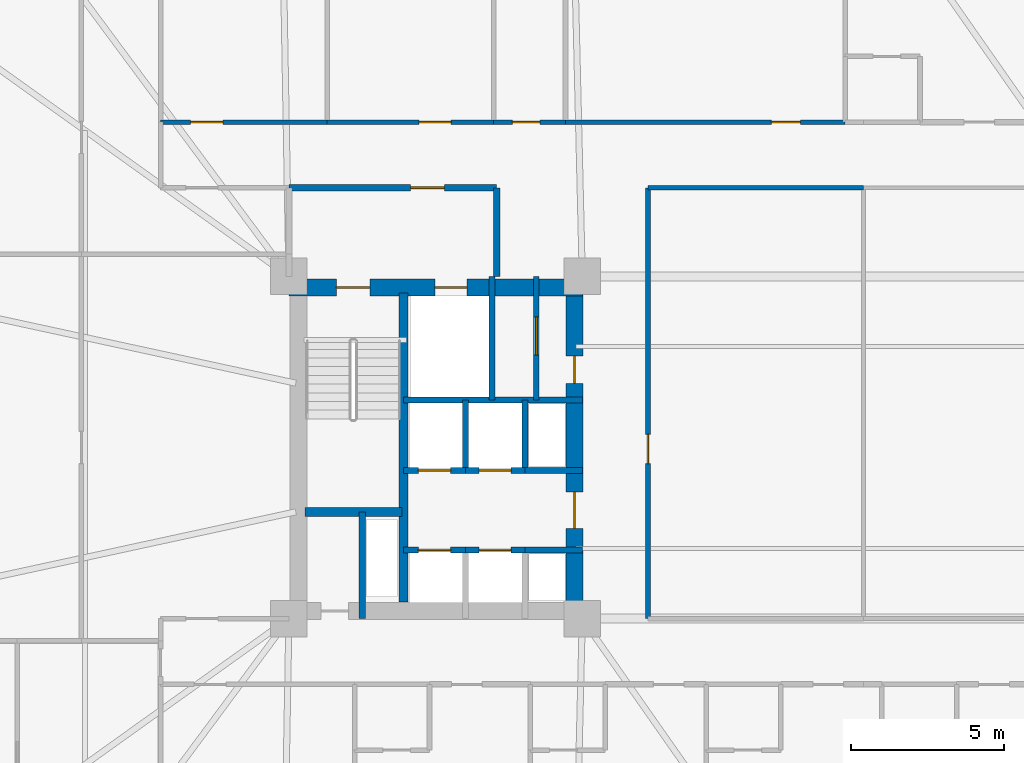
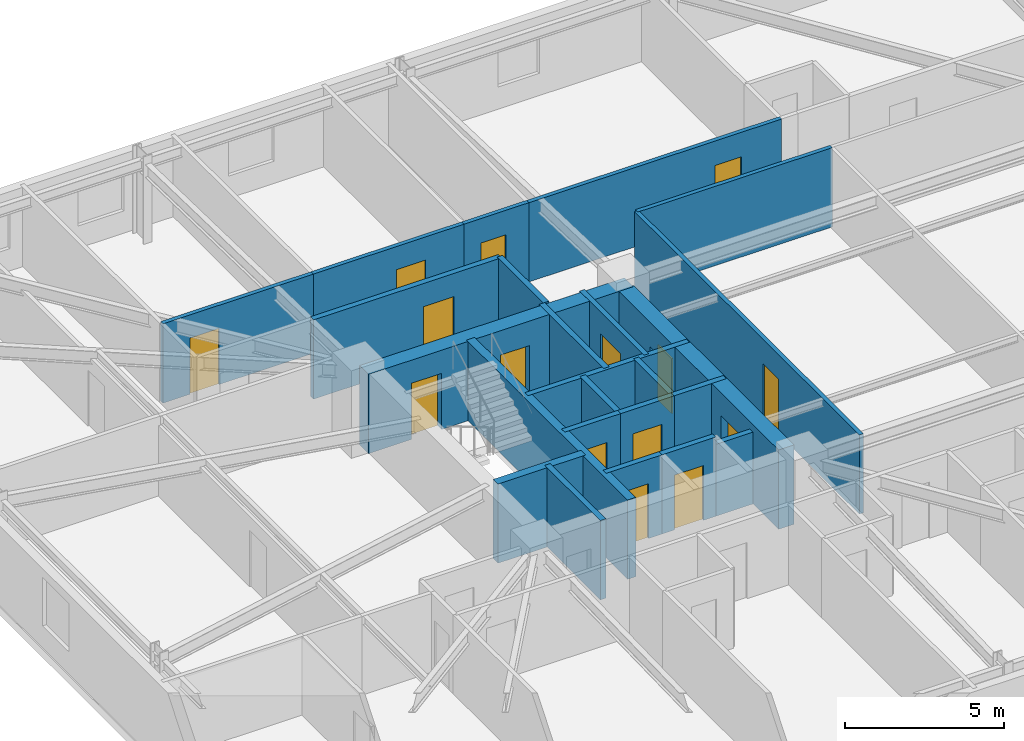
# One storey, part 15 of 20: 24 walls, 15 doors, 15 openings.
"""IFC4 building model written with IfcOpenShell, lengths in metres."""

from ifc_helpers import new_model, si_unit, direction, frame, frame_2d, origin, place, context, subcontext, project, spatial, rectangle, extrude, material, layer, layer_set, type_object, element, fill, save


model = new_model("IFC4")

# Units and contexts
model_context = context("Model", 3, precision=1e-05, world=origin(), true_north=direction((0.0, 1.0)))
body_context = subcontext(model_context, "Body", "Model", "MODEL_VIEW")
ifc_project = project(units=[si_unit("LENGTHUNIT", "METRE"), si_unit("AREAUNIT", "SQUARE_METRE"), si_unit("VOLUMEUNIT", "CUBIC_METRE"), si_unit("PLANEANGLEUNIT", "RADIAN"), si_unit("MASSUNIT", "GRAM", prefix="KILO")], contexts=[model_context])

# Site, building, storey
site_placement = place(None, origin())
site = spatial("IfcSite", under=ifc_project, at=site_placement, CompositionType="ELEMENT")
building_placement = place(site_placement, origin())
building = spatial("IfcBuilding", under=site, at=building_placement, Name="Qobustan Lattice House", CompositionType="ELEMENT")
storey_placement = place(building_placement, frame((0.0, 0.0, 67.199951171875)))
storey = spatial("IfcBuildingStorey", under=building, at=storey_placement, Name="L18", CompositionType="ELEMENT", Elevation=67.199951171875)

# Wall, openings, doors
ifc_material_1 = material(Name="Concrete C60/75", Category="concrete")
ifc_layer_1 = layer(ifc_material_1, 0.56005859375)
ifc_layer_set_1 = layer_set([ifc_layer_1], Name="Concrete C60/75")
wall_type_1 = type_object("IfcWallType", Name="WAL-CORE-600", PredefinedType="SHEAR", material=ifc_layer_set_1)
wall_1_placement = place(storey_placement, frame((-18.800048828125, 5.239990234375, 0.0), z_axis=(0.0, 0.0, 1.0), x_axis=(1.0, 0.0, 0.0)))
wall_1 = element("IfcWall", 1, at=wall_1_placement, inside=storey, type_object=wall_type_1, Name="L18 split-core shear wall CW-N", PredefinedType="SHEAR", context=body_context, shape_type="SweptSolid", body=[
    extrude(rectangle(XDim=9.60009765625, YDim=0.56005859375, at=frame_2d((4.800048828125, 0.0))), origin(), (0.0, 0.0, 1.0), 3.03515625),
])
opening_1_placement = place(wall_1_placement, frame((1.550048828125, 0.0, 0.0)))
opening_1 = element("IfcOpeningElement", 2, at=opening_1_placement, cuts=wall_1, Name="Opening SD-01", PredefinedType="OPENING", context=body_context, shape_type="SweptSolid", body=[
    extrude(rectangle(XDim=1.10009765625, YDim=2.14990234375, at=frame_2d((0.550048828125, 1.074951171875))), frame((0.0, 0.2900390625, 0.0), z_axis=(0.0, -1.0, 0.0), x_axis=(1.0, 0.0, 0.0)), (0.0, 0.0, 1.0), 0.580078125),
])
opening_2_placement = place(wall_1_placement, frame((4.77490234375, 0.0, 0.0)))
opening_2 = element("IfcOpeningElement", 3, at=opening_2_placement, cuts=wall_1, Name="Opening LD-01", PredefinedType="OPENING", context=body_context, shape_type="SweptSolid", body=[
    extrude(rectangle(XDim=1.050048828125, YDim=2.10009765625, at=frame_2d((0.52490234375, 1.050048828125))), frame((0.0, 0.2900390625, 0.0), z_axis=(0.0, -1.0, 0.0), x_axis=(1.0, 0.0, 0.0)), (0.0, 0.0, 1.0), 0.580078125),
])
ifc_material_2 = material(Name="Persian walnut timber and steel frame door", Category="steel")
door_type_1 = type_object("IfcDoorType", Name="DOR-LIFT-LD-1050x2100", OperationType="NOTDEFINED", PredefinedType="DOOR", material=ifc_material_2)
door_1_placement = place(opening_2_placement, origin())
door_1 = element("IfcDoor", 4, at=door_1_placement, inside=storey, type_object=door_type_1, Name="L18 firefighting lift FF-W landing door", OperationType="DOUBLE_DOOR_SLIDING", OverallHeight=2.10009765625, OverallWidth=1.050048828125, PredefinedType="DOOR", context=body_context, shape_type="SweptSolid", body=[
    extrude(rectangle(XDim=1.050048828125, YDim=2.10009765625, at=frame_2d((0.52490234375, 1.050048828125))), frame((0.0, 0.02490234375, 0.0), z_axis=(0.0, -1.0, 0.0), x_axis=(1.0, 0.0, 0.0)), (0.0, 0.0, 1.0), 0.050048828125),
])
fill(opening_2, door_1)
ifc_material_3 = material(Name="Persian walnut timber and steel frame door", Category="steel")
door_type_2 = type_object("IfcDoorType", Name="DOR-STAIR-FD-1100x2150", OperationType="NOTDEFINED", PredefinedType="DOOR", material=ifc_material_3)
door_2_placement = place(opening_1_placement, origin())
door_2 = element("IfcDoor", 5, at=door_2_placement, inside=storey, type_object=door_type_2, Name="L18 exit stair ST-W1 fire door", OperationType="SINGLE_SWING_LEFT", OverallHeight=2.14990234375, OverallWidth=1.10009765625, PredefinedType="DOOR", context=body_context, shape_type="SweptSolid", body=[
    extrude(rectangle(XDim=1.10009765625, YDim=2.14990234375, at=frame_2d((0.550048828125, 1.074951171875))), frame((0.0, 0.02490234375, 0.0), z_axis=(0.0, -1.0, 0.0), x_axis=(1.0, 0.0, 0.0)), (0.0, 0.0, 1.0), 0.050048828125),
])
fill(opening_1, door_2)

wall_2_placement = place(storey_placement, frame((-9.449951171875, -5.050048828125, 0.0), z_axis=(0.0, 0.0, 1.0), x_axis=(0.0, 1.0, 0.0)))
wall_2 = element("IfcWall", 6, at=wall_2_placement, inside=storey, type_object=wall_type_1, Name="L18 split-core shear wall CW-E", PredefinedType="SHEAR", context=body_context, shape_type="SweptSolid", body=[
    extrude(rectangle(XDim=10.10009765625, YDim=0.56005859375, at=frame_2d((5.050048828125, 0.0))), origin(), (0.0, 0.0, 1.0), 3.03515625),
])
opening_3_placement = place(wall_2_placement, frame((7.14990234375, 0.0, 0.0)))
opening_3 = element("IfcOpeningElement", 7, at=opening_3_placement, cuts=wall_2, Name="Opening RD-01", PredefinedType="OPENING", context=body_context, shape_type="SweptSolid", body=[
    extrude(rectangle(XDim=0.89990234375, YDim=2.10009765625, at=frame_2d((0.449951171875, 1.050048828125))), frame((0.0, 0.2900390625, 0.0), z_axis=(0.0, -1.0, 0.0), x_axis=(1.0, 0.0, 0.0)), (0.0, 0.0, 1.0), 0.580078125),
])
opening_4_placement = place(wall_2_placement, frame((2.39990234375, 0.0, 0.0)))
opening_4 = element("IfcOpeningElement", 8, at=opening_4_placement, cuts=wall_2, Name="Opening FD-01", PredefinedType="OPENING", context=body_context, shape_type="SweptSolid", body=[
    extrude(rectangle(XDim=1.199951171875, YDim=2.14990234375, at=frame_2d((0.60009765625, 1.074951171875))), frame((0.0, 0.2900390625, 0.0), z_axis=(0.0, -1.0, 0.0), x_axis=(1.0, 0.0, 0.0)), (0.0, 0.0, 1.0), 0.580078125),
])
ifc_material_4 = material(Name="Persian walnut timber and steel frame door", Category="steel")
door_type_3 = type_object("IfcDoorType", Name="DOR-LOBBY-FD-1200x2150", OperationType="NOTDEFINED", PredefinedType="DOOR", material=ifc_material_4)
door_3_placement = place(opening_4_placement, origin())
door_3 = element("IfcDoor", 9, at=door_3_placement, inside=storey, type_object=door_type_3, Name="L18 West passenger lift lobby fire door", OperationType="SINGLE_SWING_RIGHT", OverallHeight=2.14990234375, OverallWidth=1.199951171875, PredefinedType="DOOR", context=body_context, shape_type="SweptSolid", body=[
    extrude(rectangle(XDim=1.199951171875, YDim=2.14990234375, at=frame_2d((0.60009765625, 1.074951171875))), frame((0.0, 0.02490234375, 0.0), z_axis=(0.0, -1.0, 0.0), x_axis=(1.0, 0.0, 0.0)), (0.0, 0.0, 1.0), 0.050048828125),
])
fill(opening_4, door_3)
ifc_material_5 = material(Name="Persian walnut timber and steel frame door", Category="steel")
door_type_4 = type_object("IfcDoorType", Name="DOR-RISER-FD-900x2100", OperationType="NOTDEFINED", PredefinedType="DOOR", material=ifc_material_5)
door_4_placement = place(opening_3_placement, origin())
door_4 = element("IfcDoor", 10, at=door_4_placement, inside=storey, type_object=door_type_4, Name="L18 Data comms closet fire door", OperationType="SINGLE_SWING_LEFT", OverallHeight=2.10009765625, OverallWidth=0.89990234375, PredefinedType="DOOR", context=body_context, shape_type="SweptSolid", body=[
    extrude(rectangle(XDim=0.89990234375, YDim=2.10009765625, at=frame_2d((0.449951171875, 1.050048828125))), frame((0.0, 0.02490234375, 0.0), z_axis=(0.0, -1.0, 0.0), x_axis=(1.0, 0.0, 0.0)), (0.0, 0.0, 1.0), 0.050048828125),
])
fill(opening_3, door_4)

# Walls
ifc_material_6 = material(Name="Concrete C50/60", Category="concrete")
ifc_layer_2 = layer(ifc_material_6, 0.280029296875)
ifc_layer_set_2 = layer_set([ifc_layer_2], Name="Concrete C50/60")
wall_type_2 = type_object("IfcWallType", Name="WAL-CORE-SPINE-280", PredefinedType="SHEAR", material=ifc_layer_set_2)
wall_3_placement = place(storey_placement, frame((-15.050048828125, -5.050048828125, 0.0), z_axis=(0.0, 0.0, 1.0), x_axis=(0.0, 1.0, 0.0)))
element("IfcWall", 11, at=wall_3_placement, inside=storey, type_object=wall_type_2, Name="L18 split-core shear wall CW-M", PredefinedType="SHEAR", context=body_context, shape_type="SweptSolid", body=[
    extrude(rectangle(XDim=10.10009765625, YDim=0.300048828125, at=frame_2d((5.050048828125, 0.0))), origin(), (0.0, 0.0, 1.0), 3.03515625),
])
wall_4_placement = place(storey_placement, frame((-18.280029296875, -2.110107421875, 0.0), z_axis=(0.0, 0.0, 1.0), x_axis=(1.0, 0.0, 0.0)))
element("IfcWall", 12, at=wall_4_placement, inside=storey, type_object=wall_type_2, Name="L18 split-core shear wall CW-ST", PredefinedType="SHEAR", context=body_context, shape_type="SweptSolid", body=[
    extrude(rectangle(XDim=3.179931640625, YDim=0.300048828125, at=frame_2d((1.58984375, 0.0))), origin(), (0.0, 0.0, 1.0), 3.03515625),
])

# Wall, opening, door
ifc_material_7 = material(Name="Gypsum fireboard acoustic partition", Category="gypsum")
ifc_layer_3 = layer(ifc_material_7, 0.179931640625)
ifc_layer_set_3 = layer_set([ifc_layer_3], Name="Gypsum fireboard acoustic partition")
wall_type_3 = type_object("IfcWallType", Name="WAL-FIRE-180", PredefinedType="PARTITIONING", material=ifc_layer_set_3)
wall_5_placement = place(storey_placement, frame((-10.699951171875, 5.60009765625, 0.0), z_axis=(0.0, 0.0, 1.0), x_axis=(0.0, -1.0, 0.0)))
wall_5 = element("IfcWall", 13, at=wall_5_placement, inside=storey, type_object=wall_type_3, Name="L18 interior partition 7", PredefinedType="PARTITIONING", context=body_context, shape_type="SweptSolid", body=[
    extrude(rectangle(XDim=4.050048828125, YDim=0.179931640625, at=frame_2d((2.02490234375, 0.0))), origin(), (0.0, 0.0, 1.0), 3.03515625),
])
opening_5_placement = place(wall_5_placement, frame((1.324951171875, 0.0, 0.0)))
opening_5 = element("IfcOpeningElement", 14, at=opening_5_placement, cuts=wall_5, Name="Opening FD-03", PredefinedType="OPENING", context=body_context, shape_type="SweptSolid", body=[
    extrude(rectangle(XDim=1.25, YDim=2.199951171875, at=frame_2d((0.625, 1.10009765625))), frame((0.0, 0.099853515625, 0.0), z_axis=(0.0, -1.0, 0.0), x_axis=(1.0, 0.0, 0.0)), (0.0, 0.0, 1.0), 0.199951171875),
])
ifc_material_8 = material(Name="Persian walnut timber and steel frame door", Category="steel")
door_type_5 = type_object("IfcDoorType", Name="DOR-PLANT-1250x2200", OperationType="NOTDEFINED", PredefinedType="DOOR", material=ifc_material_8)
door_5_placement = place(opening_5_placement, origin())
door_5 = element("IfcDoor", 15, at=door_5_placement, inside=storey, type_object=door_type_5, Name="L18 Data comms closet to Linen store door", OperationType="SINGLE_SWING_RIGHT", OverallHeight=2.199951171875, OverallWidth=1.25, PredefinedType="DOOR", context=body_context, shape_type="SweptSolid", body=[
    extrude(rectangle(XDim=1.25, YDim=2.199951171875, at=frame_2d((0.625, 1.10009765625))), frame((0.0, 0.02490234375, 0.0), z_axis=(0.0, -1.0, 0.0), x_axis=(1.0, 0.0, 0.0)), (0.0, 0.0, 1.0), 0.050048828125),
])
fill(opening_5, door_5)

ifc_material_9 = material(Name="Acoustic twin-stud gypsum partition", Category="gypsum")
ifc_layer_4 = layer(ifc_material_9, 0.14990234375)
ifc_layer_set_4 = layer_set([ifc_layer_4], Name="Acoustic twin-stud gypsum partition")
wall_type_4 = type_object("IfcWallType", Name="WAL-PART-150", PredefinedType="PARTITIONING", material=ifc_layer_set_4)
wall_6_placement = place(storey_placement, frame((-23.0, 10.64990234375, 0.0), z_axis=(0.0, 0.0, 1.0), x_axis=(1.0, 0.0, 0.0)))
wall_6 = element("IfcWall", 16, at=wall_6_placement, inside=storey, type_object=wall_type_4, Name="L18 interior partition 41", PredefinedType="PARTITIONING", context=body_context, shape_type="SweptSolid", body=[
    extrude(rectangle(XDim=5.449951171875, YDim=0.14990234375, at=frame_2d((2.72509765625, 0.0))), origin(), (0.0, 0.0, 1.0), 3.03515625),
])
opening_6_placement = place(wall_6_placement, frame((0.985107421875, 0.0, 0.0)))
opening_6 = element("IfcOpeningElement", 17, at=opening_6_placement, cuts=wall_6, Name="Opening ID-02", PredefinedType="OPENING", context=body_context, shape_type="SweptSolid", body=[
    extrude(rectangle(XDim=1.050048828125, YDim=2.14990234375, at=frame_2d((0.52490234375, 1.074951171875))), frame((0.0, 0.0849609375, 0.0), z_axis=(0.0, -1.0, 0.0), x_axis=(1.0, 0.0, 0.0)), (0.0, 0.0, 1.0), 0.169921875),
])
ifc_material_10 = material(Name="Persian walnut timber and steel frame door", Category="steel")
door_type_6 = type_object("IfcDoorType", Name="DOR-STUDY-1050x2150", OperationType="NOTDEFINED", PredefinedType="DOOR", material=ifc_material_10)
door_6_placement = place(opening_6_placement, origin())
door_6 = element("IfcDoor", 18, at=door_6_placement, inside=storey, type_object=door_type_6, Name="L18 North-west floor corridor to Focus study room N1A door", OperationType="SINGLE_SWING_RIGHT", OverallHeight=2.14990234375, OverallWidth=1.050048828125, PredefinedType="DOOR", context=body_context, shape_type="SweptSolid", body=[
    extrude(rectangle(XDim=1.050048828125, YDim=2.14990234375, at=frame_2d((0.52490234375, 1.074951171875))), frame((0.0, 0.02490234375, 0.0), z_axis=(0.0, -1.0, 0.0), x_axis=(1.0, 0.0, 0.0)), (0.0, 0.0, 1.0), 0.050048828125),
])
fill(opening_6, door_6)

wall_7_placement = place(storey_placement, frame((-17.550048828125, 10.64990234375, 0.0), z_axis=(0.0, 0.0, 1.0), x_axis=(1.0, 0.0, 0.0)))
wall_7 = element("IfcWall", 19, at=wall_7_placement, inside=storey, type_object=wall_type_4, Name="L18 interior partition 42", PredefinedType="PARTITIONING", context=body_context, shape_type="SweptSolid", body=[
    extrude(rectangle(XDim=5.449951171875, YDim=0.14990234375, at=frame_2d((2.72509765625, 0.0))), origin(), (0.0, 0.0, 1.0), 3.03515625),
])
opening_7_placement = place(wall_7_placement, frame((3.010009765625, 0.0, 0.0)))
opening_7 = element("IfcOpeningElement", 20, at=opening_7_placement, cuts=wall_7, Name="Opening ID-02", PredefinedType="OPENING", context=body_context, shape_type="SweptSolid", body=[
    extrude(rectangle(XDim=1.050048828125, YDim=2.14990234375, at=frame_2d((0.52490234375, 1.074951171875))), frame((0.0, 0.0849609375, 0.0), z_axis=(0.0, -1.0, 0.0), x_axis=(1.0, 0.0, 0.0)), (0.0, 0.0, 1.0), 0.169921875),
])
door_7_placement = place(opening_7_placement, origin())
door_7 = element("IfcDoor", 21, at=door_7_placement, inside=storey, type_object=door_type_6, Name="L18 North-west floor corridor to Focus study room N1B door", OperationType="SINGLE_SWING_LEFT", OverallHeight=2.14990234375, OverallWidth=1.050048828125, PredefinedType="DOOR", context=body_context, shape_type="SweptSolid", body=[
    extrude(rectangle(XDim=1.050048828125, YDim=2.14990234375, at=frame_2d((0.52490234375, 1.074951171875))), frame((0.0, 0.02490234375, 0.0), z_axis=(0.0, -1.0, 0.0), x_axis=(1.0, 0.0, 0.0)), (0.0, 0.0, 1.0), 0.050048828125),
])
fill(opening_7, door_7)

wall_8_placement = place(storey_placement, frame((-9.75, 10.64990234375, 0.0), z_axis=(0.0, 0.0, 1.0), x_axis=(1.0, 0.0, 0.0)))
wall_8 = element("IfcWall", 22, at=wall_8_placement, inside=storey, type_object=wall_type_4, Name="L18 interior partition 44", PredefinedType="PARTITIONING", context=body_context, shape_type="SweptSolid", body=[
    extrude(rectangle(XDim=9.14990234375, YDim=0.14990234375, at=frame_2d((4.574951171875, 0.0))), origin(), (0.0, 0.0, 1.0), 3.03515625),
])
opening_8_placement = place(wall_8_placement, frame((6.739990234375, 0.0, 0.0)))
opening_8 = element("IfcOpeningElement", 23, at=opening_8_placement, cuts=wall_8, Name="Opening ID-01", PredefinedType="OPENING", context=body_context, shape_type="SweptSolid", body=[
    extrude(rectangle(XDim=0.949951171875, YDim=2.10009765625, at=frame_2d((0.47509765625, 1.050048828125))), frame((0.0, 0.0849609375, 0.0), z_axis=(0.0, -1.0, 0.0), x_axis=(1.0, 0.0, 0.0)), (0.0, 0.0, 1.0), 0.169921875),
])
ifc_material_11 = material(Name="Persian walnut timber and steel frame door", Category="steel")
door_type_7 = type_object("IfcDoorType", Name="DOR-ROOM-950x2100", OperationType="NOTDEFINED", PredefinedType="DOOR", material=ifc_material_11)
door_8_placement = place(opening_8_placement, origin())
door_8 = element("IfcDoor", 24, at=door_8_placement, inside=storey, type_object=door_type_7, Name="L18 North-west floor corridor to Laundry utility room door", OperationType="SINGLE_SWING_LEFT", OverallHeight=2.10009765625, OverallWidth=0.949951171875, PredefinedType="DOOR", context=body_context, shape_type="SweptSolid", body=[
    extrude(rectangle(XDim=0.949951171875, YDim=2.10009765625, at=frame_2d((0.47509765625, 1.050048828125))), frame((0.0, 0.02490234375, 0.0), z_axis=(0.0, -1.0, 0.0), x_axis=(1.0, 0.0, 0.0)), (0.0, 0.0, 1.0), 0.050048828125),
])
fill(opening_8, door_8)

# Wall
wall_9_placement = place(storey_placement, frame((0.0, 8.5, 0.0), z_axis=(0.0, 0.0, 1.0), x_axis=(-1.0, 0.0, 0.0)))
element("IfcWall", 25, at=wall_9_placement, inside=storey, type_object=wall_type_4, Name="L18 interior partition 46", PredefinedType="PARTITIONING", context=body_context, shape_type="SweptSolid", body=[
    extrude(rectangle(XDim=7.050048828125, YDim=0.14990234375, at=frame_2d((3.52490234375, 0.0))), origin(), (0.0, 0.0, 1.0), 3.03515625),
])

# Wall, opening, door
wall_10_placement = place(storey_placement, frame((-7.050048828125, 8.5, 0.0), z_axis=(0.0, 0.0, 1.0), x_axis=(0.0, -1.0, 0.0)))
wall_10 = element("IfcWall", 26, at=wall_10_placement, inside=storey, type_object=wall_type_4, Name="L18 interior partition 76", PredefinedType="PARTITIONING", context=body_context, shape_type="SweptSolid", body=[
    extrude(rectangle(XDim=14.10009765625, YDim=0.14990234375, at=frame_2d((7.050048828125, 0.0))), origin(), (0.0, 0.0, 1.0), 3.03515625),
])
opening_9_placement = place(wall_10_placement, frame((8.07373046875, 0.0, 0.0)))
opening_9 = element("IfcOpeningElement", 27, at=opening_9_placement, cuts=wall_10, Name="Opening ID-01", PredefinedType="OPENING", context=body_context, shape_type="SweptSolid", body=[
    extrude(rectangle(XDim=0.949951171875, YDim=2.10009765625, at=frame_2d((0.47509765625, 1.050048828125))), frame((0.0, 0.0849609375, 0.0), z_axis=(0.0, -1.0, 0.0), x_axis=(1.0, 0.0, 0.0)), (0.0, 0.0, 1.0), 0.169921875),
])
door_9_placement = place(opening_9_placement, origin())
door_9 = element("IfcDoor", 28, at=door_9_placement, inside=storey, type_object=door_type_7, Name="L18 West floor link corridor to Design studio workspace door", OperationType="SINGLE_SWING_LEFT", OverallHeight=2.10009765625, OverallWidth=0.949951171875, PredefinedType="DOOR", context=body_context, shape_type="SweptSolid", body=[
    extrude(rectangle(XDim=0.949951171875, YDim=2.10009765625, at=frame_2d((0.47509765625, 1.050048828125))), frame((0.0, 0.02490234375, 0.0), z_axis=(0.0, -1.0, 0.0), x_axis=(1.0, 0.0, 0.0)), (0.0, 0.0, 1.0), 0.050048828125),
])
fill(opening_9, door_9)

ifc_material_12 = material(Name="Two-hour gypsum fireboard acoustic partition", Category="gypsum")
ifc_layer_5 = layer(ifc_material_12, 0.199951171875)
ifc_layer_set_5 = layer_set([ifc_layer_5], Name="Two-hour gypsum fireboard acoustic partition")
wall_type_5 = type_object("IfcWallType", Name="WAL-PROT-200", PredefinedType="PARTITIONING", material=ifc_layer_set_5)
wall_11_placement = place(storey_placement, frame((-12.0, 8.5, 0.0), z_axis=(0.0, 0.0, 1.0), x_axis=(-1.0, 0.0, 0.0)))
wall_11 = element("IfcWall", 29, at=wall_11_placement, inside=storey, type_object=wall_type_5, Name="L18 interior partition 3", PredefinedType="PARTITIONING", context=body_context, shape_type="SweptSolid", body=[
    extrude(rectangle(XDim=6.800048828125, YDim=0.199951171875, at=frame_2d((3.39990234375, 0.0))), origin(), (0.0, 0.0, 1.0), 3.03515625),
])
opening_10_placement = place(wall_11_placement, frame((1.715087890625, 0.0, 0.0)))
opening_10 = element("IfcOpeningElement", 30, at=opening_10_placement, cuts=wall_11, Name="Opening SD-01", PredefinedType="OPENING", context=body_context, shape_type="SweptSolid", body=[
    extrude(rectangle(XDim=1.10009765625, YDim=2.14990234375, at=frame_2d((0.550048828125, 1.074951171875))), frame((0.0, 0.10986328125, 0.0), z_axis=(0.0, -1.0, 0.0), x_axis=(1.0, 0.0, 0.0)), (0.0, 0.0, 1.0), 0.219970703125),
])
door_10_placement = place(opening_10_placement, origin())
door_10 = element("IfcDoor", 31, at=door_10_placement, inside=storey, type_object=door_type_2, Name="L18 West firefighting lift lobby to North-west floor corridor door", OperationType="SINGLE_SWING_LEFT", OverallHeight=2.14990234375, OverallWidth=1.10009765625, PredefinedType="DOOR", context=body_context, shape_type="SweptSolid", body=[
    extrude(rectangle(XDim=1.10009765625, YDim=2.14990234375, at=frame_2d((0.550048828125, 1.074951171875))), frame((0.0, 0.02490234375, 0.0), z_axis=(0.0, -1.0, 0.0), x_axis=(1.0, 0.0, 0.0)), (0.0, 0.0, 1.0), 0.050048828125),
])
fill(opening_10, door_10)

# Walls
wall_12_placement = place(storey_placement, frame((-12.0, 5.60009765625, 0.0), z_axis=(0.0, 0.0, 1.0), x_axis=(0.0, 1.0, 0.0)))
element("IfcWall", 32, at=wall_12_placement, inside=storey, type_object=wall_type_5, Name="L18 interior partition 4", PredefinedType="PARTITIONING", context=body_context, shape_type="SweptSolid", body=[
    extrude(rectangle(XDim=2.89990234375, YDim=0.199951171875, at=frame_2d((1.449951171875, 0.0))), origin(), (0.0, 0.0, 1.0), 3.03515625),
])
ifc_material_13 = material(Name="Concrete C40/50", Category="concrete")
ifc_layer_6 = layer(ifc_material_13, 0.199951171875)
ifc_layer_set_6 = layer_set([ifc_layer_6], Name="Concrete C40/50")
wall_type_6 = type_object("IfcWallType", Name="WAL-SHAFT-200", PredefinedType="PARTITIONING", material=ifc_layer_set_6)
wall_13_placement = place(storey_placement, frame((-16.39990234375, -5.60009765625, 0.0), z_axis=(0.0, 0.0, 1.0), x_axis=(0.0, 1.0, 0.0)))
element("IfcWall", 33, at=wall_13_placement, inside=storey, type_object=wall_type_6, Name="L18 interior partition 1", PredefinedType="PARTITIONING", context=body_context, shape_type="SweptSolid", body=[
    extrude(rectangle(XDim=3.489990234375, YDim=0.199951171875, at=frame_2d((1.7451171875, 0.0))), origin(), (0.0, 0.0, 1.0), 3.03515625),
])
wall_14_placement = place(storey_placement, frame((-12.14990234375, 1.550048828125, 0.0), z_axis=(0.0, 0.0, 1.0), x_axis=(0.0, 1.0, 0.0)))
element("IfcWall", 34, at=wall_14_placement, inside=storey, type_object=wall_type_6, Name="L18 interior partition 2", PredefinedType="PARTITIONING", context=body_context, shape_type="SweptSolid", body=[
    extrude(rectangle(XDim=4.050048828125, YDim=0.199951171875, at=frame_2d((2.02490234375, 0.0))), origin(), (0.0, 0.0, 1.0), 3.03515625),
])

# Wall, opening, door
wall_15_placement = place(storey_placement, frame((-15.050048828125, -3.35009765625, 0.0), z_axis=(0.0, 0.0, 1.0), x_axis=(1.0, 0.0, 0.0)))
wall_15 = element("IfcWall", 35, at=wall_15_placement, inside=storey, type_object=wall_type_6, Name="L18 interior partition 9", PredefinedType="PARTITIONING", context=body_context, shape_type="SweptSolid", body=[
    extrude(rectangle(XDim=2.030029296875, YDim=0.199951171875, at=frame_2d((1.01513671875, 0.0))), origin(), (0.0, 0.0, 1.0), 3.03515625),
])
opening_11_placement = place(wall_15_placement, frame((0.489990234375, 0.0, 0.0)))
opening_11 = element("IfcOpeningElement", 36, at=opening_11_placement, cuts=wall_15, Name="Opening LD-01", PredefinedType="OPENING", context=body_context, shape_type="SweptSolid", body=[
    extrude(rectangle(XDim=1.050048828125, YDim=2.10009765625, at=frame_2d((0.52490234375, 1.050048828125))), frame((0.0, 0.10986328125, 0.0), z_axis=(0.0, -1.0, 0.0), x_axis=(1.0, 0.0, 0.0)), (0.0, 0.0, 1.0), 0.219970703125),
])
door_11_placement = place(opening_11_placement, origin())
door_11 = element("IfcDoor", 37, at=door_11_placement, inside=storey, type_object=door_type_1, Name="L18 lift landing door", OperationType="DOUBLE_DOOR_SLIDING", OverallHeight=2.10009765625, OverallWidth=1.050048828125, PredefinedType="DOOR", context=body_context, shape_type="SweptSolid", body=[
    extrude(rectangle(XDim=1.050048828125, YDim=2.10009765625, at=frame_2d((0.52490234375, 1.050048828125))), frame((0.0, 0.02490234375, 0.0), z_axis=(0.0, -1.0, 0.0), x_axis=(1.0, 0.0, 0.0)), (0.0, 0.0, 1.0), 0.050048828125),
])
fill(opening_11, door_11)

wall_16_placement = place(storey_placement, frame((-13.02001953125, -3.35009765625, 0.0), z_axis=(0.0, 0.0, 1.0), x_axis=(1.0, 0.0, 0.0)))
wall_16 = element("IfcWall", 38, at=wall_16_placement, inside=storey, type_object=wall_type_6, Name="L18 interior partition 10", PredefinedType="PARTITIONING", context=body_context, shape_type="SweptSolid", body=[
    extrude(rectangle(XDim=1.93994140625, YDim=0.199951171875, at=frame_2d((0.969970703125, 0.0))), origin(), (0.0, 0.0, 1.0), 3.03515625),
])
opening_12_placement = place(wall_16_placement, frame((0.445068359375, 0.0, 0.0)))
opening_12 = element("IfcOpeningElement", 39, at=opening_12_placement, cuts=wall_16, Name="Opening LD-01", PredefinedType="OPENING", context=body_context, shape_type="SweptSolid", body=[
    extrude(rectangle(XDim=1.050048828125, YDim=2.10009765625, at=frame_2d((0.52490234375, 1.050048828125))), frame((0.0, 0.10986328125, 0.0), z_axis=(0.0, -1.0, 0.0), x_axis=(1.0, 0.0, 0.0)), (0.0, 0.0, 1.0), 0.219970703125),
])
door_12_placement = place(opening_12_placement, origin())
door_12 = element("IfcDoor", 40, at=door_12_placement, inside=storey, type_object=door_type_1, Name="L18 lift landing door", OperationType="DOUBLE_DOOR_SLIDING", OverallHeight=2.10009765625, OverallWidth=1.050048828125, PredefinedType="DOOR", context=body_context, shape_type="SweptSolid", body=[
    extrude(rectangle(XDim=1.050048828125, YDim=2.10009765625, at=frame_2d((0.52490234375, 1.050048828125))), frame((0.0, 0.02490234375, 0.0), z_axis=(0.0, -1.0, 0.0), x_axis=(1.0, 0.0, 0.0)), (0.0, 0.0, 1.0), 0.050048828125),
])
fill(opening_12, door_12)

# Wall
wall_17_placement = place(storey_placement, frame((-11.080078125, -3.35009765625, 0.0), z_axis=(0.0, 0.0, 1.0), x_axis=(1.0, 0.0, 0.0)))
element("IfcWall", 41, at=wall_17_placement, inside=storey, type_object=wall_type_6, Name="L18 interior partition 11", PredefinedType="PARTITIONING", context=body_context, shape_type="SweptSolid", body=[
    extrude(rectangle(XDim=1.880126953125, YDim=0.199951171875, at=frame_2d((0.93994140625, 0.0))), origin(), (0.0, 0.0, 1.0), 2.75),
])

# Wall, opening, door
wall_18_placement = place(storey_placement, frame((-13.02001953125, -0.75, 0.0), z_axis=(0.0, 0.0, 1.0), x_axis=(-1.0, 0.0, 0.0)))
wall_18 = element("IfcWall", 42, at=wall_18_placement, inside=storey, type_object=wall_type_6, Name="L18 interior partition 12", PredefinedType="PARTITIONING", context=body_context, shape_type="SweptSolid", body=[
    extrude(rectangle(XDim=2.030029296875, YDim=0.199951171875, at=frame_2d((1.01513671875, 0.0))), origin(), (0.0, 0.0, 1.0), 3.03515625),
])
opening_13_placement = place(wall_18_placement, frame((0.489990234375, 0.0, 0.0)))
opening_13 = element("IfcOpeningElement", 43, at=opening_13_placement, cuts=wall_18, Name="Opening LD-01", PredefinedType="OPENING", context=body_context, shape_type="SweptSolid", body=[
    extrude(rectangle(XDim=1.050048828125, YDim=2.10009765625, at=frame_2d((0.52490234375, 1.050048828125))), frame((0.0, 0.10986328125, 0.0), z_axis=(0.0, -1.0, 0.0), x_axis=(1.0, 0.0, 0.0)), (0.0, 0.0, 1.0), 0.219970703125),
])
door_13_placement = place(opening_13_placement, origin())
door_13 = element("IfcDoor", 44, at=door_13_placement, inside=storey, type_object=door_type_1, Name="L18 lift landing door", OperationType="DOUBLE_DOOR_SLIDING", OverallHeight=2.10009765625, OverallWidth=1.050048828125, PredefinedType="DOOR", context=body_context, shape_type="SweptSolid", body=[
    extrude(rectangle(XDim=1.050048828125, YDim=2.10009765625, at=frame_2d((0.52490234375, 1.050048828125))), frame((0.0, 0.02490234375, 0.0), z_axis=(0.0, -1.0, 0.0), x_axis=(1.0, 0.0, 0.0)), (0.0, 0.0, 1.0), 0.050048828125),
])
fill(opening_13, door_13)

wall_19_placement = place(storey_placement, frame((-11.080078125, -0.75, 0.0), z_axis=(0.0, 0.0, 1.0), x_axis=(-1.0, 0.0, 0.0)))
wall_19 = element("IfcWall", 45, at=wall_19_placement, inside=storey, type_object=wall_type_6, Name="L18 interior partition 13", PredefinedType="PARTITIONING", context=body_context, shape_type="SweptSolid", body=[
    extrude(rectangle(XDim=1.93994140625, YDim=0.199951171875, at=frame_2d((0.969970703125, 0.0))), origin(), (0.0, 0.0, 1.0), 3.03515625),
])
opening_14_placement = place(wall_19_placement, frame((0.445068359375, 0.0, 0.0)))
opening_14 = element("IfcOpeningElement", 46, at=opening_14_placement, cuts=wall_19, Name="Opening LD-01", PredefinedType="OPENING", context=body_context, shape_type="SweptSolid", body=[
    extrude(rectangle(XDim=1.050048828125, YDim=2.10009765625, at=frame_2d((0.52490234375, 1.050048828125))), frame((0.0, 0.10986328125, 0.0), z_axis=(0.0, -1.0, 0.0), x_axis=(1.0, 0.0, 0.0)), (0.0, 0.0, 1.0), 0.219970703125),
])
door_14_placement = place(opening_14_placement, origin())
door_14 = element("IfcDoor", 47, at=door_14_placement, inside=storey, type_object=door_type_1, Name="L18 lift landing door", OperationType="DOUBLE_DOOR_SLIDING", OverallHeight=2.10009765625, OverallWidth=1.050048828125, PredefinedType="DOOR", context=body_context, shape_type="SweptSolid", body=[
    extrude(rectangle(XDim=1.050048828125, YDim=2.10009765625, at=frame_2d((0.52490234375, 1.050048828125))), frame((0.0, 0.02490234375, 0.0), z_axis=(0.0, -1.0, 0.0), x_axis=(1.0, 0.0, 0.0)), (0.0, 0.0, 1.0), 0.050048828125),
])
fill(opening_14, door_14)

# Walls
wall_20_placement = place(storey_placement, frame((-9.199951171875, -0.75, 0.0), z_axis=(0.0, 0.0, 1.0), x_axis=(-1.0, 0.0, 0.0)))
element("IfcWall", 48, at=wall_20_placement, inside=storey, type_object=wall_type_6, Name="L18 interior partition 14", PredefinedType="PARTITIONING", context=body_context, shape_type="SweptSolid", body=[
    extrude(rectangle(XDim=1.880126953125, YDim=0.199951171875, at=frame_2d((0.93994140625, 0.0))), origin(), (0.0, 0.0, 1.0), 3.03515625),
])
for number, where, z_axis, x_axis, name in (
    (49, (-13.02001953125, -0.75, 0.0), (0.0, 0.0, 1.0), (0.0, 1.0, 0.0), "L18 interior partition 18"),
    (50, (-11.080078125, -0.75, 0.0), (0.0, 0.0, 1.0), (0.0, 1.0, 0.0), "L18 interior partition 19"),
):
    element("IfcWall", number, at=place(storey_placement, frame(where, z_axis=z_axis, x_axis=x_axis)), inside=storey, type_object=wall_type_6, Name=name, PredefinedType="PARTITIONING", context=body_context, shape_type="SweptSolid", body=[
        extrude(rectangle(XDim=2.300048828125, YDim=0.199951171875, at=frame_2d((1.14990234375, 0.0))), origin(), (0.0, 0.0, 1.0), 3.03515625),
    ])
wall_21_placement = place(storey_placement, frame((-15.050048828125, 1.550048828125, 0.0), z_axis=(0.0, 0.0, 1.0), x_axis=(1.0, 0.0, 0.0)))
element("IfcWall", 51, at=wall_21_placement, inside=storey, type_object=wall_type_6, Name="L18 interior partition 126", PredefinedType="PARTITIONING", context=body_context, shape_type="SweptSolid", body=[
    extrude(rectangle(XDim=5.85009765625, YDim=0.199951171875, at=frame_2d((2.925048828125, 0.0))), origin(), (0.0, 0.0, 1.0), 3.03515625),
])

# Wall, opening, door
ifc_material_14 = material(Name="Moisture-resistant acoustic plumbing wall", Category="gypsum")
ifc_layer_7 = layer(ifc_material_14, 0.14990234375)
ifc_layer_set_7 = layer_set([ifc_layer_7], Name="Moisture-resistant acoustic plumbing wall")
wall_type_7 = type_object("IfcWallType", Name="WAL-WET-150", PredefinedType="PLUMBINGWALL", material=ifc_layer_set_7)
wall_22_placement = place(storey_placement, frame((-12.10009765625, 10.64990234375, 0.0), z_axis=(0.0, 0.0, 1.0), x_axis=(1.0, 0.0, 0.0)))
wall_22 = element("IfcWall", 52, at=wall_22_placement, inside=storey, type_object=wall_type_7, Name="L18 interior partition 43", PredefinedType="PLUMBINGWALL", context=body_context, shape_type="SweptSolid", body=[
    extrude(rectangle(XDim=2.35009765625, YDim=0.14990234375, at=frame_2d((1.175048828125, 0.0))), origin(), (0.0, 0.0, 1.0), 3.03515625),
])
opening_15_placement = place(wall_22_placement, frame((0.6162109375, 0.0, 0.0)))
opening_15 = element("IfcOpeningElement", 53, at=opening_15_placement, cuts=wall_22, Name="Opening WD-01", PredefinedType="OPENING", context=body_context, shape_type="SweptSolid", body=[
    extrude(rectangle(XDim=0.89990234375, YDim=2.10009765625, at=frame_2d((0.449951171875, 1.050048828125))), frame((0.0, 0.0849609375, 0.0), z_axis=(0.0, -1.0, 0.0), x_axis=(1.0, 0.0, 0.0)), (0.0, 0.0, 1.0), 0.169921875),
])
ifc_material_15 = material(Name="Persian walnut timber and steel frame door", Category="steel")
door_type_8 = type_object("IfcDoorType", Name="DOR-WET-900x2100", OperationType="NOTDEFINED", PredefinedType="DOOR", material=ifc_material_15)
door_15_placement = place(opening_15_placement, origin())
door_15 = element("IfcDoor", 54, at=door_15_placement, inside=storey, type_object=door_type_8, Name="L18 North-west floor corridor to Accessible WC door", OperationType="SINGLE_SWING_RIGHT", OverallHeight=2.10009765625, OverallWidth=0.89990234375, PredefinedType="DOOR", context=body_context, shape_type="SweptSolid", body=[
    extrude(rectangle(XDim=0.89990234375, YDim=2.10009765625, at=frame_2d((0.449951171875, 1.050048828125))), frame((0.0, 0.02490234375, 0.0), z_axis=(0.0, -1.0, 0.0), x_axis=(1.0, 0.0, 0.0)), (0.0, 0.0, 1.0), 0.050048828125),
])
fill(opening_15, door_15)

save(model, "model.ifc")
